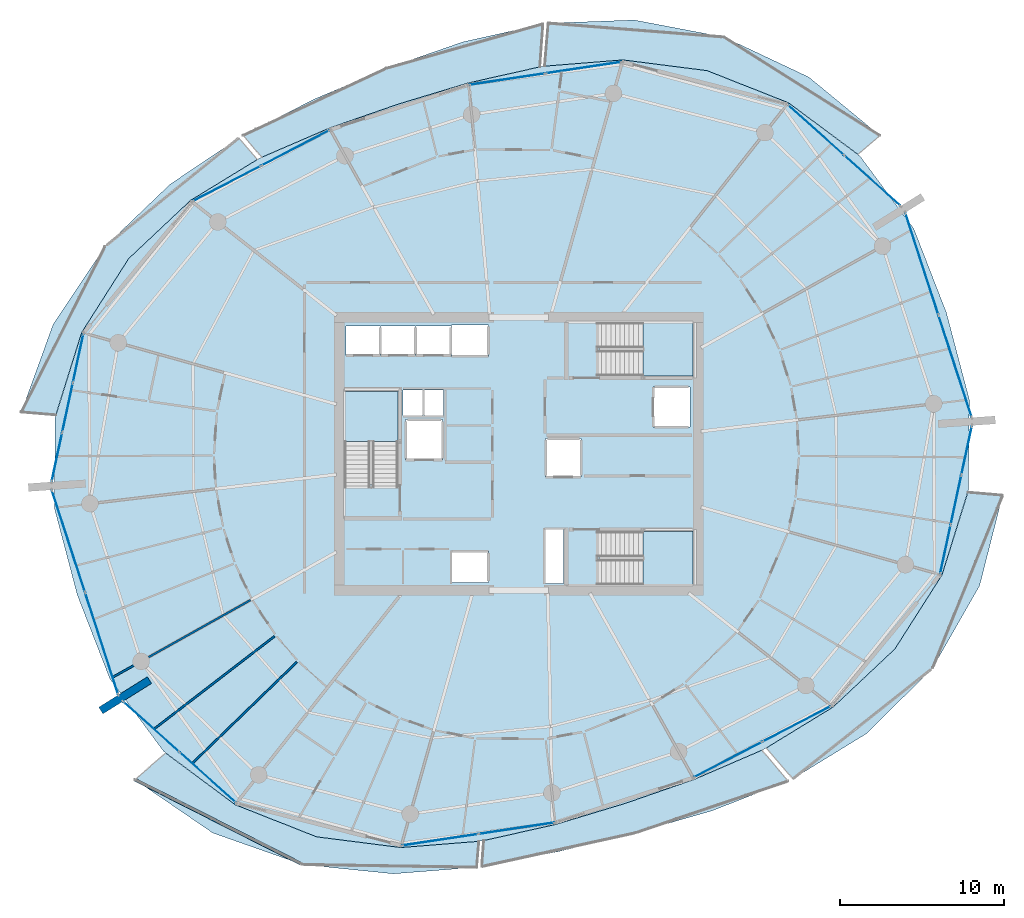
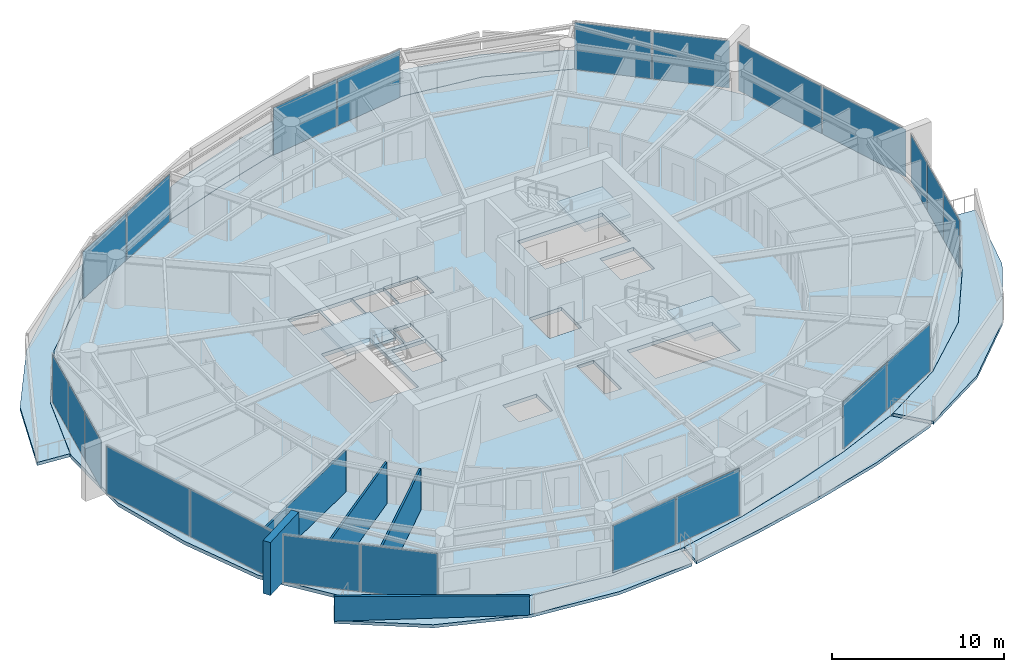
# One storey, part 10 of 21: 22 plates, 10 slabs, 5 walls, 13 elements without a shape of their own.
"""IFC4 building model written with IfcOpenShell, lengths in metres."""

from ifc_helpers import new_model, si_unit, direction, frame, frame_2d, origin, origin_2d, place, context, subcontext, project, spatial, polyline, rectangle, outline, extrude, material, layer, layer_set, type_object, element, aggregate, save


model = new_model("IFC4")

# Units and contexts
model_context = context("Model", 3, precision=1e-05, world=origin(), true_north=direction((0.0, 1.0)))
body_context = subcontext(model_context, "Body", "Model", "MODEL_VIEW")
ifc_project = project(units=[si_unit("LENGTHUNIT", "METRE"), si_unit("AREAUNIT", "SQUARE_METRE"), si_unit("VOLUMEUNIT", "CUBIC_METRE"), si_unit("PLANEANGLEUNIT", "RADIAN"), si_unit("MASSUNIT", "GRAM", prefix="KILO")], contexts=[model_context])

# Site, building, storey
site_placement = place(None, origin())
site = spatial("IfcSite", under=ifc_project, at=site_placement, CompositionType="ELEMENT")
building_placement = place(site_placement, origin())
building = spatial("IfcBuilding", under=site, at=building_placement, Name="Kazma Halo Residences", CompositionType="ELEMENT")
storey_placement = place(building_placement, frame((0.0, 0.0, 187.800048828125)))
storey = spatial("IfcBuildingStorey", under=building, at=storey_placement, Name="L47", CompositionType="ELEMENT", Elevation=187.800048828125)

# Curtain wall, plates
ifc_material_1 = material(Name="Aluminium AW-6063 T6 and Triple-Silver Low-E Glass", Category="aluminium")
ifc_layer_1 = layer(ifc_material_1, 0.219970703125)
ifc_layer_set_1 = layer_set([ifc_layer_1], Name="Aluminium AW-6063 T6 and Triple-Silver Low-E Glass")
curtain_wall_type = type_object("IfcCurtainWallType", Name="CW-SYS-4", PredefinedType="NOTDEFINED", material=ifc_layer_set_1)
curtain_wall_1_placement = place(storey_placement, origin())
curtain_wall_1 = element("IfcCurtainWall", 1, at=curtain_wall_1_placement, inside=storey, type_object=curtain_wall_type, Name="L47 unitised curtain wall B01", PredefinedType="NOTDEFINED")
ifc_material_2 = material(Name="Clear Triple-Silver Low-E Glass IGU", Category="glass")
ifc_layer_2 = layer(ifc_material_2, 0.033935546875)
ifc_layer_set_2 = layer_set([ifc_layer_2], Name="Clear Triple-Silver Low-E Glass IGU")
plate_type = type_object("IfcPlateType", Name="CW-SYS-4-PNL", PredefinedType="CURTAIN_PANEL", material=ifc_layer_set_2)
plate_1_placement = place(storey_placement, frame((70.001220703125, 58.669677734375, 0.074951171875), z_axis=(0.0, 0.0, 1.0), x_axis=(-0.744354814723, 0.667784328806, 0.0)))
plate_1 = element("IfcPlate", 2, at=plate_1_placement, type_object=plate_type, Name="CWS-4 panel 1.1", PredefinedType="CURTAIN_PANEL", context=body_context, shape_type="SweptSolid", body=[
    extrude(rectangle(XDim=4.5478515625, YDim=0.033935546875, at=origin_2d()), origin(), (0.0, 0.0, 1.0), 3.35009765625),
])
plate_2_placement = place(storey_placement, frame((66.56005859375, 61.7568359375, 0.074951171875), z_axis=(0.0, 0.0, 1.0), x_axis=(-0.744354814723, 0.667784328806, 0.0)))
plate_2 = element("IfcPlate", 3, at=plate_2_placement, type_object=plate_type, Name="CWS-4 panel 2.1", PredefinedType="CURTAIN_PANEL", context=body_context, shape_type="SweptSolid", body=[
    extrude(rectangle(XDim=4.5478515625, YDim=0.033935546875, at=origin_2d()), origin(), (0.0, 0.0, 1.0), 3.35009765625),
])
aggregate(curtain_wall_1, [plate_1, plate_2])

curtain_wall_2_placement = place(storey_placement, origin())
curtain_wall_2 = element("IfcCurtainWall", 4, at=curtain_wall_2_placement, inside=storey, type_object=curtain_wall_type, Name="L47 unitised curtain wall B03", PredefinedType="NOTDEFINED")
plate_3_placement = place(storey_placement, frame((52.375, 65.562255859375, 0.074951171875), z_axis=(0.0, 0.0, 1.0), x_axis=(-0.988871428361, -0.148772639188, 0.0)))
plate_3 = element("IfcPlate", 5, at=plate_3_placement, type_object=plate_type, Name="CWS-4 panel 1.1", PredefinedType="CURTAIN_PANEL", context=body_context, shape_type="SweptSolid", body=[
    extrude(rectangle(XDim=4.64501953125, YDim=0.033935546875, at=origin_2d()), origin(), (0.0, 0.0, 1.0), 3.35009765625),
])
plate_4_placement = place(storey_placement, frame((47.70751953125, 64.860107421875, 0.074951171875), z_axis=(0.0, 0.0, 1.0), x_axis=(-0.988871428361, -0.148772639188, 0.0)))
plate_4 = element("IfcPlate", 6, at=plate_4_placement, type_object=plate_type, Name="CWS-4 panel 2.1", PredefinedType="CURTAIN_PANEL", context=body_context, shape_type="SweptSolid", body=[
    extrude(rectangle(XDim=4.64501953125, YDim=0.033935546875, at=origin_2d()), origin(), (0.0, 0.0, 1.0), 3.35009765625),
])
aggregate(curtain_wall_2, [plate_3, plate_4])

curtain_wall_3_placement = place(storey_placement, origin())
curtain_wall_3 = element("IfcCurtainWall", 7, at=curtain_wall_3_placement, inside=storey, type_object=curtain_wall_type, Name="L47 unitised curtain wall B05", PredefinedType="NOTDEFINED")
plate_5_placement = place(storey_placement, frame((34.7998046875, 60.666015625, 0.074951171875), z_axis=(0.0, 0.0, 1.0), x_axis=(-0.887465657575, -0.460873851097, 0.0)))
plate_5 = element("IfcPlate", 8, at=plate_5_placement, type_object=plate_type, Name="CWS-4 panel 1.1", PredefinedType="CURTAIN_PANEL", context=body_context, shape_type="SweptSolid", body=[
    extrude(rectangle(XDim=4.64501953125, YDim=0.033935546875, at=origin_2d()), origin(), (0.0, 0.0, 1.0), 3.35009765625),
])
plate_6_placement = place(storey_placement, frame((30.61083984375, 58.49072265625, 0.074951171875), z_axis=(0.0, 0.0, 1.0), x_axis=(-0.887465657575, -0.460873851097, 0.0)))
plate_6 = element("IfcPlate", 9, at=plate_6_placement, type_object=plate_type, Name="CWS-4 panel 2.1", PredefinedType="CURTAIN_PANEL", context=body_context, shape_type="SweptSolid", body=[
    extrude(rectangle(XDim=4.64501953125, YDim=0.033935546875, at=origin_2d()), origin(), (0.0, 0.0, 1.0), 3.35009765625),
])
aggregate(curtain_wall_3, [plate_5, plate_6])

curtain_wall_4_placement = place(storey_placement, origin())
curtain_wall_4 = element("IfcCurtainWall", 10, at=curtain_wall_4_placement, inside=storey, type_object=curtain_wall_type, Name="L47 unitised curtain wall B07", PredefinedType="NOTDEFINED")
plate_7_placement = place(storey_placement, frame((21.53466796875, 47.833740234375, 0.074951171875), z_axis=(0.0, 0.0, 1.0), x_axis=(-0.209689543175, -0.977768017212, 0.0)))
plate_7 = element("IfcPlate", 11, at=plate_7_placement, type_object=plate_type, Name="CWS-4 panel 1.1", PredefinedType="CURTAIN_PANEL", context=body_context, shape_type="SweptSolid", body=[
    extrude(rectangle(XDim=2.994384765625, YDim=0.033935546875, at=origin_2d()), origin(), (0.0, 0.0, 1.0), 3.35009765625),
])
plate_8_placement = place(storey_placement, frame((20.88720703125, 44.814208984375, 0.074951171875), z_axis=(0.0, 0.0, 1.0), x_axis=(-0.209689543175, -0.977768017212, 0.0)))
plate_8 = element("IfcPlate", 12, at=plate_8_placement, type_object=plate_type, Name="CWS-4 panel 2.1", PredefinedType="CURTAIN_PANEL", context=body_context, shape_type="SweptSolid", body=[
    extrude(rectangle(XDim=3.031982421875, YDim=0.033935546875, at=origin_2d()), origin(), (0.0, 0.0, 1.0), 3.35009765625),
])
plate_9_placement = place(storey_placement, frame((20.239501953125, 41.794677734375, 0.074951171875), z_axis=(0.0, 0.0, 1.0), x_axis=(-0.209689543175, -0.977768017212, 0.0)))
plate_9 = element("IfcPlate", 13, at=plate_9_placement, type_object=plate_type, Name="CWS-4 panel 3.1", PredefinedType="CURTAIN_PANEL", context=body_context, shape_type="SweptSolid", body=[
    extrude(rectangle(XDim=2.994384765625, YDim=0.033935546875, at=origin_2d()), origin(), (0.0, 0.0, 1.0), 3.35009765625),
])
aggregate(curtain_wall_4, [plate_7, plate_8, plate_9])

curtain_wall_5_placement = place(storey_placement, origin())
curtain_wall_5 = element("IfcCurtainWall", 14, at=curtain_wall_5_placement, inside=storey, type_object=curtain_wall_type, Name="L47 unitised curtain wall B08", PredefinedType="NOTDEFINED")
plate_10_placement = place(storey_placement, frame((20.942626953125, 36.658447265625, 0.074951171875), z_axis=(0.0, 0.0, 1.0), x_axis=(0.309015833038, -0.951056893636, 0.0)))
plate_10 = element("IfcPlate", 15, at=plate_10_placement, type_object=plate_type, Name="CWS-4 panel 1.1", PredefinedType="CURTAIN_PANEL", context=body_context, shape_type="SweptSolid", body=[
    extrude(rectangle(XDim=6.487060546875, YDim=0.033935546875, at=origin_2d()), origin(), (0.0, 0.0, 1.0), 3.35009765625),
])
plate_11_placement = place(storey_placement, frame((22.970458984375, 30.41748046875, 0.074951171875), z_axis=(0.0, 0.0, 1.0), x_axis=(0.309015833038, -0.951056893636, 0.0)))
plate_11 = element("IfcPlate", 16, at=plate_11_placement, type_object=plate_type, Name="CWS-4 panel 2.1", PredefinedType="CURTAIN_PANEL", context=body_context, shape_type="SweptSolid", body=[
    extrude(rectangle(XDim=6.487060546875, YDim=0.033935546875, at=origin_2d()), origin(), (0.0, 0.0, 1.0), 3.35009765625),
])
aggregate(curtain_wall_5, [plate_10, plate_11])

curtain_wall_6_placement = place(storey_placement, origin())
curtain_wall_6 = element("IfcCurtainWall", 17, at=curtain_wall_6_placement, inside=storey, type_object=curtain_wall_type, Name="L47 unitised curtain wall B09", PredefinedType="NOTDEFINED")
plate_12_placement = place(storey_placement, frame((25.998779296875, 25.330322265625, 0.074951171875), z_axis=(0.0, 0.0, 1.0), x_axis=(0.744354814723, -0.667784328806, 0.0)))
plate_12 = element("IfcPlate", 18, at=plate_12_placement, type_object=plate_type, Name="CWS-4 panel 1.1", PredefinedType="CURTAIN_PANEL", context=body_context, shape_type="SweptSolid", body=[
    extrude(rectangle(XDim=4.5478515625, YDim=0.033935546875, at=origin_2d()), origin(), (0.0, 0.0, 1.0), 3.35009765625),
])
plate_13_placement = place(storey_placement, frame((29.43994140625, 22.2431640625, 0.074951171875), z_axis=(0.0, 0.0, 1.0), x_axis=(0.744354814723, -0.667784328806, 0.0)))
plate_13 = element("IfcPlate", 19, at=plate_13_placement, type_object=plate_type, Name="CWS-4 panel 2.1", PredefinedType="CURTAIN_PANEL", context=body_context, shape_type="SweptSolid", body=[
    extrude(rectangle(XDim=4.5478515625, YDim=0.033935546875, at=origin_2d()), origin(), (0.0, 0.0, 1.0), 3.35009765625),
])
aggregate(curtain_wall_6, [plate_12, plate_13])

curtain_wall_7_placement = place(storey_placement, origin())
curtain_wall_7 = element("IfcCurtainWall", 20, at=curtain_wall_7_placement, inside=storey, type_object=curtain_wall_type, Name="L47 unitised curtain wall B11", PredefinedType="NOTDEFINED")
plate_14_placement = place(storey_placement, frame((43.625, 18.437744140625, 0.074951171875), z_axis=(0.0, 0.0, 1.0), x_axis=(0.988871428361, 0.148772639188, 0.0)))
plate_14 = element("IfcPlate", 21, at=plate_14_placement, type_object=plate_type, Name="CWS-4 panel 1.1", PredefinedType="CURTAIN_PANEL", context=body_context, shape_type="SweptSolid", body=[
    extrude(rectangle(XDim=4.64501953125, YDim=0.033935546875, at=origin_2d()), origin(), (0.0, 0.0, 1.0), 3.35009765625),
])
plate_15_placement = place(storey_placement, frame((48.29248046875, 19.139892578125, 0.074951171875), z_axis=(0.0, 0.0, 1.0), x_axis=(0.988871428361, 0.148772639188, 0.0)))
plate_15 = element("IfcPlate", 22, at=plate_15_placement, type_object=plate_type, Name="CWS-4 panel 2.1", PredefinedType="CURTAIN_PANEL", context=body_context, shape_type="SweptSolid", body=[
    extrude(rectangle(XDim=4.64501953125, YDim=0.033935546875, at=origin_2d()), origin(), (0.0, 0.0, 1.0), 3.35009765625),
])
aggregate(curtain_wall_7, [plate_14, plate_15])

curtain_wall_8_placement = place(storey_placement, origin())
curtain_wall_8 = element("IfcCurtainWall", 23, at=curtain_wall_8_placement, inside=storey, type_object=curtain_wall_type, Name="L47 unitised curtain wall B13", PredefinedType="NOTDEFINED")
plate_16_placement = place(storey_placement, frame((61.2001953125, 23.333984375, 0.074951171875), z_axis=(0.0, 0.0, 1.0), x_axis=(0.887465657575, 0.460873851097, 0.0)))
plate_16 = element("IfcPlate", 24, at=plate_16_placement, type_object=plate_type, Name="CWS-4 panel 1.1", PredefinedType="CURTAIN_PANEL", context=body_context, shape_type="SweptSolid", body=[
    extrude(rectangle(XDim=4.64501953125, YDim=0.033935546875, at=origin_2d()), origin(), (0.0, 0.0, 1.0), 3.35009765625),
])
plate_17_placement = place(storey_placement, frame((65.38916015625, 25.50927734375, 0.074951171875), z_axis=(0.0, 0.0, 1.0), x_axis=(0.887465657575, 0.460873851097, 0.0)))
plate_17 = element("IfcPlate", 25, at=plate_17_placement, type_object=plate_type, Name="CWS-4 panel 2.1", PredefinedType="CURTAIN_PANEL", context=body_context, shape_type="SweptSolid", body=[
    extrude(rectangle(XDim=4.64501953125, YDim=0.033935546875, at=origin_2d()), origin(), (0.0, 0.0, 1.0), 3.35009765625),
])
aggregate(curtain_wall_8, [plate_16, plate_17])

curtain_wall_9_placement = place(storey_placement, origin())
curtain_wall_9 = element("IfcCurtainWall", 26, at=curtain_wall_9_placement, inside=storey, type_object=curtain_wall_type, Name="L47 unitised curtain wall B15", PredefinedType="NOTDEFINED")
plate_18_placement = place(storey_placement, frame((74.46533203125, 36.166259765625, 0.074951171875), z_axis=(0.0, 0.0, 1.0), x_axis=(0.209689543175, 0.977768017212, 0.0)))
plate_18 = element("IfcPlate", 27, at=plate_18_placement, type_object=plate_type, Name="CWS-4 panel 1.1", PredefinedType="CURTAIN_PANEL", context=body_context, shape_type="SweptSolid", body=[
    extrude(rectangle(XDim=2.994384765625, YDim=0.033935546875, at=origin_2d()), origin(), (0.0, 0.0, 1.0), 3.35009765625),
])
plate_19_placement = place(storey_placement, frame((75.11279296875, 39.185791015625, 0.074951171875), z_axis=(0.0, 0.0, 1.0), x_axis=(0.209689543175, 0.977768017212, 0.0)))
plate_19 = element("IfcPlate", 28, at=plate_19_placement, type_object=plate_type, Name="CWS-4 panel 2.1", PredefinedType="CURTAIN_PANEL", context=body_context, shape_type="SweptSolid", body=[
    extrude(rectangle(XDim=3.031982421875, YDim=0.033935546875, at=origin_2d()), origin(), (0.0, 0.0, 1.0), 3.35009765625),
])
plate_20_placement = place(storey_placement, frame((75.760498046875, 42.205322265625, 0.074951171875), z_axis=(0.0, 0.0, 1.0), x_axis=(0.209689543175, 0.977768017212, 0.0)))
plate_20 = element("IfcPlate", 29, at=plate_20_placement, type_object=plate_type, Name="CWS-4 panel 3.1", PredefinedType="CURTAIN_PANEL", context=body_context, shape_type="SweptSolid", body=[
    extrude(rectangle(XDim=2.994384765625, YDim=0.033935546875, at=origin_2d()), origin(), (0.0, 0.0, 1.0), 3.35009765625),
])
aggregate(curtain_wall_9, [plate_18, plate_19, plate_20])

curtain_wall_10_placement = place(storey_placement, origin())
curtain_wall_10 = element("IfcCurtainWall", 30, at=curtain_wall_10_placement, inside=storey, type_object=curtain_wall_type, Name="L47 unitised curtain wall B16", PredefinedType="NOTDEFINED")
plate_21_placement = place(storey_placement, frame((75.057373046875, 47.341552734375, 0.074951171875), z_axis=(0.0, 0.0, 1.0), x_axis=(-0.309015833038, 0.951056893636, 0.0)))
plate_21 = element("IfcPlate", 31, at=plate_21_placement, type_object=plate_type, Name="CWS-4 panel 1.1", PredefinedType="CURTAIN_PANEL", context=body_context, shape_type="SweptSolid", body=[
    extrude(rectangle(XDim=6.487060546875, YDim=0.033935546875, at=origin_2d()), origin(), (0.0, 0.0, 1.0), 3.35009765625),
])
plate_22_placement = place(storey_placement, frame((73.029541015625, 53.58251953125, 0.074951171875), z_axis=(0.0, 0.0, 1.0), x_axis=(-0.309015833038, 0.951056893636, 0.0)))
plate_22 = element("IfcPlate", 32, at=plate_22_placement, type_object=plate_type, Name="CWS-4 panel 2.1", PredefinedType="CURTAIN_PANEL", context=body_context, shape_type="SweptSolid", body=[
    extrude(rectangle(XDim=6.487060546875, YDim=0.033935546875, at=origin_2d()), origin(), (0.0, 0.0, 1.0), 3.35009765625),
])
aggregate(curtain_wall_10, [plate_21, plate_22])

# Slabs
ifc_material_3 = material(Name="White Concrete C50/60", Category="concrete")
ifc_layer_3 = layer(ifc_material_3, 0.219970703125)
ifc_layer_set_3 = layer_set([ifc_layer_3], Name="White Concrete C50/60")
slab_type_1 = type_object("IfcSlabType", Name="SLB-BAL-WAVE-210", PredefinedType="FLOOR", material=ifc_layer_set_3)
slab_1_placement = place(storey_placement, frame((0.0, 0.0, -0.219970703125)))
element("IfcSlab", 33, at=slab_1_placement, inside=storey, type_object=slab_type_1, Name="L47 NE cantilevered wave balcony slab", PredefinedType="FLOOR", context=body_context, shape_type="SweptSolid", body=[
    extrude(outline(polyline([(69.130126953125, 60.271240234375), (64.88720703125, 63.421142578125), (59.913818359375, 65.382080078125), (54.779052734375, 66.036376953125), (50.007080078125, 65.656005859375), (50.2294921875, 68.275634765625), (55.4658203125, 68.4716796875), (60.95654296875, 67.4287109375), (66.123046875, 64.989013671875), (70.4599609375, 61.421142578125), (69.130126953125, 60.271240234375)])), origin(), (0.0, 0.0, 1.0), 0.219970703125),
])
slab_2_placement = place(storey_placement, frame((0.0, 0.0, -0.219970703125)))
element("IfcSlab", 34, at=slab_2_placement, inside=storey, type_object=slab_type_1, Name="L47 NNW cantilevered wave balcony slab", PredefinedType="FLOOR", context=body_context, shape_type="SweptSolid", body=[
    extrude(outline(polyline([(49.713134765625, 65.612060546875), (45.322265625, 64.62451171875), (41.066650390625, 63.338623046875), (36.867919921875, 61.877685546875), (32.735107421875, 60.095458984375), (31.61083984375, 61.428466796875), (35.892578125, 63.61962890625), (40.35693359375, 65.523193359375), (45.02490234375, 67.13720703125), (49.9033203125, 68.229736328125), (49.713134765625, 65.612060546875)])), origin(), (0.0, 0.0, 1.0), 0.219970703125),
])
slab_3_placement = place(storey_placement, frame((0.0, 0.0, -0.219970703125)))
element("IfcSlab", 35, at=slab_3_placement, inside=storey, type_object=slab_type_1, Name="L47 NW cantilevered wave balcony slab", PredefinedType="FLOOR", context=body_context, shape_type="SweptSolid", body=[
    extrude(outline(polyline([(32.471435546875, 59.958251953125), (28.387451171875, 57.461181640625), (24.617919921875, 53.913818359375), (21.7470703125, 49.404052734375), (20.165771484375, 44.36181640625), (18.063720703125, 44.5400390625), (20.005859375, 49.895263671875), (23.1767578125, 54.648193359375), (27.140380859375, 58.4443359375), (31.336669921875, 61.2705078125), (32.471435546875, 59.958251953125)])), origin(), (0.0, 0.0, 1.0), 0.219970703125),
])
slab_4_placement = place(storey_placement, frame((0.0, 0.0, -0.219970703125)))
element("IfcSlab", 36, at=slab_4_placement, inside=storey, type_object=slab_type_1, Name="L47 SW cantilevered wave balcony slab", PredefinedType="FLOOR", context=body_context, shape_type="SweptSolid", body=[
    extrude(outline(polyline([(26.869873046875, 23.728759765625), (31.11279296875, 20.578857421875), (36.086181640625, 18.617919921875), (41.220947265625, 17.963623046875), (45.992919921875, 18.343994140625), (45.8583984375, 16.760498046875), (40.768798828125, 16.3603515625), (35.22412109375, 16.926025390625), (29.751220703125, 18.8515625), (24.993896484375, 22.106689453125), (26.869873046875, 23.728759765625)])), origin(), (0.0, 0.0, 1.0), 0.219970703125),
])
slab_5_placement = place(storey_placement, frame((0.0, 0.0, -0.219970703125)))
element("IfcSlab", 37, at=slab_5_placement, inside=storey, type_object=slab_type_1, Name="L47 SSE cantilevered wave balcony slab", PredefinedType="FLOOR", context=body_context, shape_type="SweptSolid", body=[
    extrude(outline(polyline([(46.286865234375, 18.387939453125), (50.677734375, 19.37548828125), (54.933349609375, 20.661376953125), (59.132080078125, 22.122314453125), (63.264892578125, 23.904541015625), (64.8544921875, 22.02001953125), (60.206787109375, 20.203369140625), (55.520263671875, 18.855224609375), (50.87353515625, 17.721435546875), (46.172119140625, 16.807373046875), (46.286865234375, 18.387939453125)])), origin(), (0.0, 0.0, 1.0), 0.219970703125),
])
slab_6_placement = place(storey_placement, frame((0.0, 0.0, -0.219970703125)))
element("IfcSlab", 38, at=slab_6_placement, inside=storey, type_object=slab_type_1, Name="L47 SE cantilevered wave balcony slab", PredefinedType="FLOOR", context=body_context, shape_type="SweptSolid", body=[
    extrude(outline(polyline([(63.528564453125, 24.041748046875), (67.612548828125, 26.538818359375), (71.382080078125, 30.086181640625), (74.2529296875, 34.595947265625), (75.834228515625, 39.63818359375), (77.955078125, 39.458251953125), (76.55029296875, 33.947998046875), (73.679443359375, 28.915771484375), (69.66064453125, 24.924072265625), (65.153076171875, 22.1630859375), (63.528564453125, 24.041748046875)])), origin(), (0.0, 0.0, 1.0), 0.219970703125),
])
ifc_material_4 = material(Name="Concrete C50/60", Category="concrete")
ifc_layer_4 = layer(ifc_material_4, 0.25)
ifc_layer_set_4 = layer_set([ifc_layer_4], Name="Concrete C50/60")
slab_type_2 = type_object("IfcSlabType", Name="SLB-RES-250", PredefinedType="FLOOR", material=ifc_layer_set_4)
slab_7_placement = place(storey_placement, frame((0.0, 0.0, -0.25)))
element("IfcSlab", 39, at=slab_7_placement, inside=storey, type_object=slab_type_2, Name="L47 structural floor slab", PredefinedType="FLOOR", context=body_context, shape_type="SweptSolid", body=[
    extrude(outline(polyline([(74.521484375, 50.617431640625), (72.531982421875, 55.738525390625), (69.2587890625, 60.156494140625), (64.8857421875, 63.41943359375), (59.912841796875, 65.380126953125), (54.7783203125, 66.034423828125), (49.860595703125, 65.64111328125), (45.322509765625, 64.62255859375), (41.0673828125, 63.336669921875), (36.868896484375, 61.875732421875), (32.598876953125, 60.032470703125), (28.388916015625, 57.460205078125), (24.619873046875, 53.912841796875), (21.7490234375, 49.403564453125), (20.129150390625, 44.193603515625), (20.07763671875, 38.6953125), (21.478515625, 33.382568359375), (23.468017578125, 28.261474609375), (26.7412109375, 23.843505859375), (31.1142578125, 20.58056640625), (36.087158203125, 18.619873046875), (41.2216796875, 17.965576171875), (46.139404296875, 18.35888671875), (50.677490234375, 19.37744140625), (54.9326171875, 20.663330078125), (59.131103515625, 22.124267578125), (63.401123046875, 23.967529296875), (67.611083984375, 26.539794921875), (71.380126953125, 30.087158203125), (74.2509765625, 34.596435546875), (75.870849609375, 39.806396484375), (75.92236328125, 45.3046875), (74.521484375, 50.617431640625)]), holes=[polyline([(37.800048828125, 40.110107421875), (41.050048828125, 40.110107421875), (41.050048828125, 45.800048828125), (37.800048828125, 45.800048828125), (37.800048828125, 40.110107421875)]), polyline([(53.360107421875, 46.75), (59.050048828125, 46.75), (59.050048828125, 50.0), (53.360107421875, 50.0), (53.360107421875, 46.75)]), polyline([(53.360107421875, 34.0), (59.050048828125, 34.0), (59.050048828125, 37.25), (53.360107421875, 37.25), (53.360107421875, 34.0)]), polyline([(41.52001953125, 41.6201171875), (43.780029296875, 41.6201171875), (43.780029296875, 44.080078125), (41.52001953125, 44.080078125), (41.52001953125, 41.6201171875)]), polyline([(56.6201171875, 43.6201171875), (58.8798828125, 43.6201171875), (58.8798828125, 46.080078125), (56.6201171875, 46.080078125), (56.6201171875, 43.6201171875)]), polyline([(37.864990234375, 47.9951171875), (39.97509765625, 47.9951171875), (39.97509765625, 49.804931640625), (37.864990234375, 49.804931640625), (37.864990234375, 47.9951171875)]), polyline([(40.014892578125, 47.9951171875), (42.125, 47.9951171875), (42.125, 49.804931640625), (40.014892578125, 49.804931640625), (40.014892578125, 47.9951171875)]), polyline([(42.1650390625, 47.9951171875), (44.27490234375, 47.9951171875), (44.27490234375, 49.804931640625), (42.1650390625, 49.804931640625), (42.1650390625, 47.9951171875)]), polyline([(44.320068359375, 47.945068359375), (46.580078125, 47.945068359375), (46.580078125, 49.85498046875), (44.320068359375, 49.85498046875), (44.320068359375, 47.945068359375)]), polyline([(44.320068359375, 34.14501953125), (46.580078125, 34.14501953125), (46.580078125, 36.054931640625), (44.320068359375, 36.054931640625), (44.320068359375, 34.14501953125)]), polyline([(50.070068359375, 40.570068359375), (52.22998046875, 40.570068359375), (52.22998046875, 42.929931640625), (50.070068359375, 42.929931640625), (50.070068359375, 40.570068359375)]), polyline([(41.360107421875, 44.340087890625), (42.5400390625, 44.340087890625), (42.5400390625, 45.89990234375), (41.360107421875, 45.89990234375), (41.360107421875, 44.340087890625)]), polyline([(42.659912109375, 44.340087890625), (43.840087890625, 44.340087890625), (43.840087890625, 45.89990234375), (42.659912109375, 45.89990234375), (42.659912109375, 44.340087890625)]), polyline([(50.06005859375, 34.080078125), (51.159912109375, 34.080078125), (51.159912109375, 37.3798828125), (50.06005859375, 37.3798828125), (50.06005859375, 34.080078125)])]), origin(), (0.0, 0.0, 1.0), 0.25),
])

# Stair, slab
stair_type = type_object("IfcStairType", Name="STR-RES1", PredefinedType="HALF_TURN_STAIR", material=ifc_material_4)
stair_1_placement = place(storey_placement, origin())
stair_1 = element("IfcStair", 40, at=stair_1_placement, inside=storey, type_object=stair_type, Name="L47 Core exit stair ST-01", PredefinedType="HALF_TURN_STAIR")
ifc_layer_5 = layer(ifc_material_4, 0.199951171875)
ifc_layer_set_5 = layer_set([ifc_layer_5], Name="Concrete C50/60")
slab_type_3 = type_object("IfcSlabType", Name="SLB-STAIR-LND-200", PredefinedType="LANDING", material=ifc_layer_set_5)
slab_8_placement = place(storey_placement, frame((0.0, 0.0, 1.675048828125)))
slab_8 = element("IfcSlab", 41, at=slab_8_placement, type_object=slab_type_3, Name="ST-01 landing 1", PredefinedType="LANDING", context=body_context, shape_type="SweptSolid", body=[
    extrude(outline(polyline([(41.050048828125, 42.75), (41.050048828125, 45.800048828125), (37.800048828125, 45.800048828125), (37.800048828125, 42.75), (41.050048828125, 42.75)])), origin(), (0.0, 0.0, 1.0), 0.199951171875),
])
aggregate(stair_1, [slab_8])

stair_2_placement = place(storey_placement, origin())
stair_2 = element("IfcStair", 42, at=stair_2_placement, inside=storey, type_object=stair_type, Name="L47 Core exit stair ST-02", PredefinedType="HALF_TURN_STAIR")
slab_9_placement = place(storey_placement, frame((0.0, 0.0, 1.675048828125)))
slab_9 = element("IfcSlab", 43, at=slab_9_placement, type_object=slab_type_3, Name="ST-02 landing 1", PredefinedType="LANDING", context=body_context, shape_type="SweptSolid", body=[
    extrude(outline(polyline([(56.0, 46.75), (59.050048828125, 46.75), (59.050048828125, 50.0), (56.0, 50.0), (56.0, 46.75)])), origin(), (0.0, 0.0, 1.0), 0.199951171875),
])
aggregate(stair_2, [slab_9])

stair_3_placement = place(storey_placement, origin())
stair_3 = element("IfcStair", 44, at=stair_3_placement, inside=storey, type_object=stair_type, Name="L47 Core exit stair ST-03", PredefinedType="HALF_TURN_STAIR")
slab_10_placement = place(storey_placement, frame((0.0, 0.0, 1.675048828125)))
slab_10 = element("IfcSlab", 45, at=slab_10_placement, type_object=slab_type_3, Name="ST-03 landing 1", PredefinedType="LANDING", context=body_context, shape_type="SweptSolid", body=[
    extrude(outline(polyline([(56.0, 34.0), (59.050048828125, 34.0), (59.050048828125, 37.25), (56.0, 37.25), (56.0, 34.0)])), origin(), (0.0, 0.0, 1.0), 0.199951171875),
])
aggregate(stair_3, [slab_10])

# Walls
ifc_material_5 = material(Name="White Concrete C50/60 Balustrade", Category="concrete")
ifc_layer_6 = layer(ifc_material_5, 0.179931640625)
ifc_layer_set_6 = layer_set([ifc_layer_6], Name="White Concrete C50/60 Balustrade")
wall_type_1 = type_object("IfcWallType", Name="WL-BAL-WAVE-180", PredefinedType="PARAPET", material=ifc_layer_set_6)
wall_1_placement = place(storey_placement, frame((24.993896484375, 22.106689453125, 0.0), z_axis=(0.0, 0.0, 1.0), x_axis=(0.892126203774, -0.451786273076, 0.0)))
element("IfcWall", 46, at=wall_1_placement, inside=storey, type_object=wall_type_1, Name="L47 white wave balustrade wall SW.1", PredefinedType="PARAPET", context=body_context, shape_type="SweptSolid", body=[
    extrude(outline(polyline([(0.0, 0.0), (11.34716796875, 0.0), (11.34716796875, 1.347900390625), (5.673583984375, 1.56201171875), (0.0, 1.7470703125), (0.0, 0.0)])), frame((0.0, 0.08984375, 0.0), z_axis=(0.0, -1.0, 0.0), x_axis=(1.0, 0.0, 0.0)), (0.0, 0.0, 1.0), 0.179931640625),
])
ifc_material_6 = material(Name="Pale Concrete C60/75", Category="concrete")
ifc_layer_7 = layer(ifc_material_6, 0.47998046875)
ifc_layer_set_7 = layer_set([ifc_layer_7], Name="Pale Concrete C60/75")
wall_type_2 = type_object("IfcWallType", Name="WL-BLADE-480", PredefinedType="SOLIDWALL", material=ifc_layer_set_7)
wall_2_placement = place(storey_placement, frame((25.88623046875, 28.181884765625, 0.0), z_axis=(0.0, 0.0, 1.0), x_axis=(-0.848033572426, -0.529942506352, 0.0)))
element("IfcWall", 47, at=wall_2_placement, inside=storey, type_object=wall_type_2, Name="L47 pale concrete structural blade fin wall BW-03", PredefinedType="SOLIDWALL", context=body_context, shape_type="SweptSolid", body=[
    extrude(rectangle(XDim=3.5, YDim=0.47998046875, at=frame_2d((1.75, 0.0))), origin(), (0.0, 0.0, 1.0), 3.75),
])
ifc_material_7 = material(Name="Gypsum Plasterboard Partition")
ifc_layer_8 = layer(ifc_material_7, 0.125)
ifc_layer_set_8 = layer_set([ifc_layer_8], Name="Gypsum Plasterboard Partition")
wall_type_3 = type_object("IfcWallType", Name="WL-PART-125", PredefinedType="PARTITIONING", material=ifc_layer_set_8)
wall_3_placement = place(storey_placement, frame((32.052490234375, 33.06884765625, 0.0), z_axis=(0.0, 0.0, 1.0), x_axis=(-0.87250211985, -0.488610326188, 0.0)))
element("IfcWall", 48, at=wall_3_placement, inside=storey, type_object=wall_type_3, Name="L47 Apartment 2 radial partition 8", PredefinedType="PARTITIONING", context=body_context, shape_type="SweptSolid", body=[
    extrude(rectangle(XDim=9.616943359375, YDim=0.125, at=frame_2d((4.80859375, 0.0))), origin(), (0.0, 0.0, 1.0), 2.93994140625),
])
wall_4_placement = place(storey_placement, frame((33.521484375, 30.860107421875, 0.0), z_axis=(0.0, 0.0, 1.0), x_axis=(-0.792554479605, -0.609801112543, 0.0)))
element("IfcWall", 49, at=wall_4_placement, inside=storey, type_object=wall_type_3, Name="L47 Apartment 2 bay wall 1 8", PredefinedType="PARTITIONING", context=body_context, shape_type="SweptSolid", body=[
    extrude(rectangle(XDim=9.271240234375, YDim=0.125, at=frame_2d((4.6357421875, 0.0))), origin(), (0.0, 0.0, 1.0), 2.93994140625),
])
wall_5_placement = place(storey_placement, frame((34.88134765625, 29.287109375, 0.0), z_axis=(0.0, 0.0, 1.0), x_axis=(-0.718121191842, -0.695918065455, 0.0)))
element("IfcWall", 50, at=wall_5_placement, inside=storey, type_object=wall_type_3, Name="L47 Apartment 2 bay wall 2 8", PredefinedType="PARTITIONING", context=body_context, shape_type="SweptSolid", body=[
    extrude(rectangle(XDim=8.87353515625, YDim=0.125, at=frame_2d((4.436767578125, 0.0))), origin(), (0.0, 0.0, 1.0), 2.93994140625),
])

save(model, "model.ifc")
